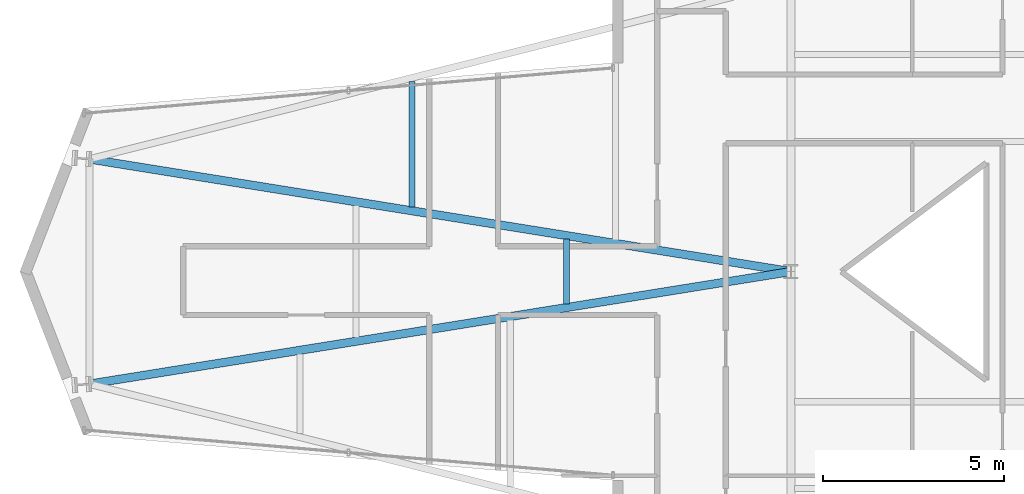
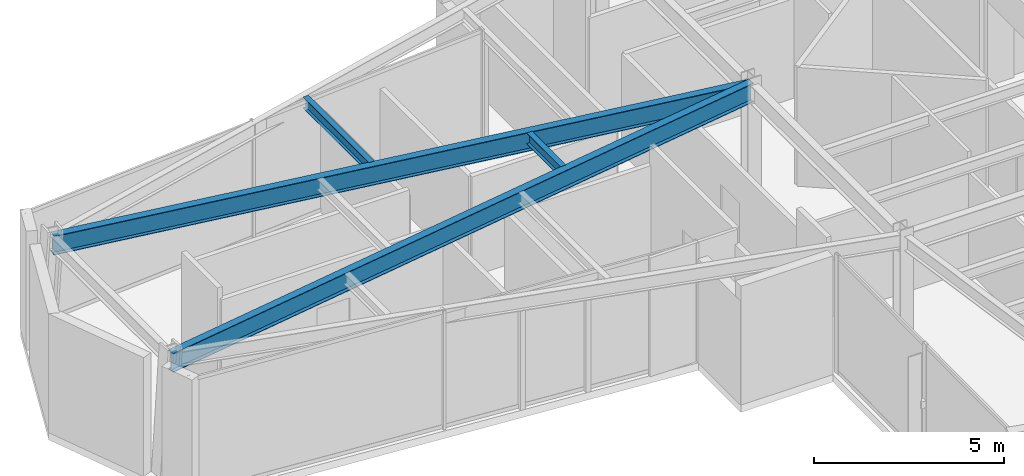
# One storey, part 8 of 26: 4 beams.
"""IFC4 building model written with IfcOpenShell, lengths in metres."""

from ifc_helpers import new_model, si_unit, direction, frame, origin, origin_2d, place, context, subcontext, project, spatial, i_section, extrude, material, material_profile, profile_set, type_object, element, save


model = new_model("IFC4")

# Units and contexts
model_context = context("Model", 3, precision=1e-05, world=origin(), true_north=direction((0.0, 1.0)))
body_context = subcontext(model_context, "Body", "Model", "MODEL_VIEW")
ifc_project = project(units=[si_unit("LENGTHUNIT", "METRE"), si_unit("AREAUNIT", "SQUARE_METRE"), si_unit("VOLUMEUNIT", "CUBIC_METRE"), si_unit("PLANEANGLEUNIT", "RADIAN"), si_unit("MASSUNIT", "GRAM", prefix="KILO")], contexts=[model_context])

# Site, building, storey
site_placement = place(None, origin())
site = spatial("IfcSite", under=ifc_project, at=site_placement, CompositionType="ELEMENT")
building_placement = place(site_placement, origin())
building = spatial("IfcBuilding", under=site, at=building_placement, Name="Veymaron Broadcast Tower", CompositionType="ELEMENT")
storey_placement = place(building_placement, frame((0.0, 0.0, 157.35009765625)))
storey = spatial("IfcBuildingStorey", under=building, at=storey_placement, Name="L36", CompositionType="ELEMENT", Elevation=157.35009765625)

# Beams
ifc_material = material(Name="Structural steel ASTM A992 Gr 50", Category="steel")
ifc_material_profile_1 = material_profile(ifc_material, i_section(OverallWidth=0.22802734375, OverallDepth=0.60791015625, WebThickness=0.01123046875, FlangeThickness=0.017333984375, at=origin_2d()), Name="W610X113")
ifc_profile_set_1 = profile_set([ifc_material_profile_1], Name="Structural steel ASTM A992 Gr 50")
beam_type_1 = type_object("IfcBeamType", Name="BM-FG2", PredefinedType="BEAM", material=ifc_profile_set_1)
for number, where, z_axis, x_axis, name in (
    (1, (11.802001953125, 20.889892578125, 3.505859375), (0.987389475645, 0.158309896673, 0.0), (-0.158309896673, 0.987389475645, 0.0), "L36 primary structural floor girder"),
    (2, (11.802001953125, 27.110107421875, 3.505859375), (0.987389475645, -0.158309896673, 0.0), (0.158309896673, 0.987389475645, 0.0), "L36 primary structural floor girder"),
):
    element("IfcBeam", number, at=place(storey_placement, frame(where, z_axis=z_axis, x_axis=x_axis)), inside=storey, type_object=beam_type_1, Name=name, PredefinedType="BEAM", context=body_context, shape_type="SweptSolid", body=[
        extrude(i_section(OverallWidth=0.22802734375, OverallDepth=0.60791015625, WebThickness=0.01123046875, FlangeThickness=0.017333984375, at=origin_2d()), origin(), (0.0, 0.0, 1.0), 19.645751953125),
    ])
ifc_material_profile_2 = material_profile(ifc_material, i_section(OverallWidth=0.1708984375, OverallDepth=0.35498046875, WebThickness=0.007080078125, FlangeThickness=0.01171875, at=origin_2d()), Name="W360X51")
ifc_profile_set_2 = profile_set([ifc_material_profile_2], Name="Structural steel ASTM A992 Gr 50")
beam_type_2 = type_object("IfcBeamType", Name="BM-JS2", PredefinedType="JOIST", material=ifc_profile_set_2)
beam_1_placement = place(storey_placement, frame((20.72509765625, 25.779296875, 3.63232421875), z_axis=(0.0, 1.0, 0.0), x_axis=(-1.0, 0.0, 0.0)))
element("IfcBeam", 3, at=beam_1_placement, inside=storey, type_object=beam_type_2, Name="L36 Arm-A secondary joist 1N", PredefinedType="JOIST", context=body_context, shape_type="SweptSolid", body=[
    extrude(i_section(OverallWidth=0.1708984375, OverallDepth=0.35498046875, WebThickness=0.007080078125, FlangeThickness=0.01171875, at=origin_2d()), origin(), (0.0, 0.0, 1.0), 3.480224609375),
])
beam_2_placement = place(storey_placement, frame((24.99267578125, 23.104736328125, 3.63232421875), z_axis=(0.0, 1.0, 0.0), x_axis=(-1.0, 0.0, 0.0)))
element("IfcBeam", 4, at=beam_2_placement, inside=storey, type_object=beam_type_2, Name="L36 Arm-A secondary joist 2M", PredefinedType="JOIST", context=body_context, shape_type="SweptSolid", body=[
    extrude(i_section(OverallWidth=0.1708984375, OverallDepth=0.35498046875, WebThickness=0.007080078125, FlangeThickness=0.01171875, at=origin_2d()), origin(), (0.0, 0.0, 1.0), 1.79052734375),
])

save(model, "model.ifc")
